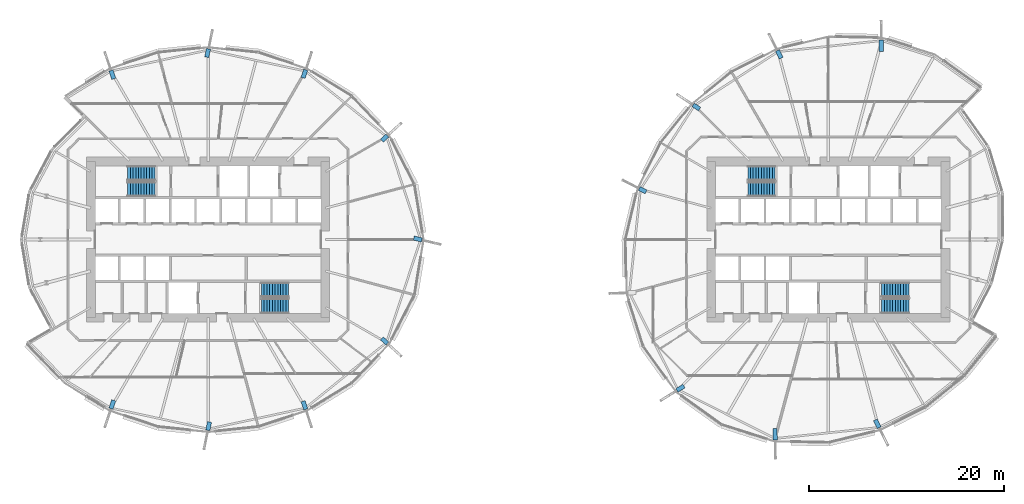
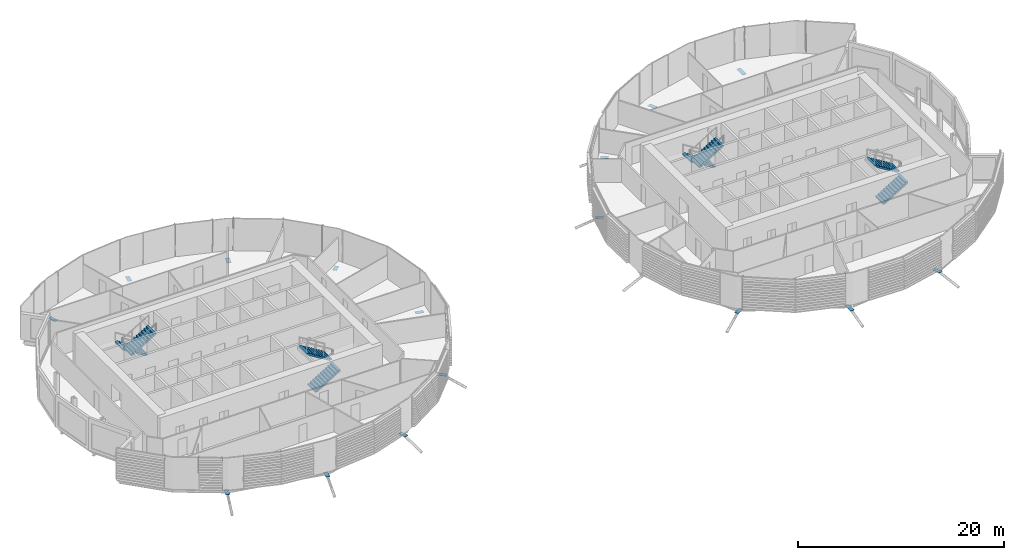
# One storey, part 25 of 36: 16 discrete accessories, 8 stair flights, 4 elements without a shape of their own.
"""IFC4 building model written with IfcOpenShell, lengths in metres."""

from ifc_helpers import new_model, si_unit, direction, frame, origin, origin_2d, place, context, subcontext, project, spatial, polyline, rectangle, outline, extrude, material, material_profile, profile_set, type_object, element, aggregate, save


model = new_model("IFC4")

# Units and contexts
model_context = context("Model", 3, precision=1e-05, world=origin(), true_north=direction((0.0, 1.0)))
body_context = subcontext(model_context, "Body", "Model", "MODEL_VIEW")
ifc_project = project(units=[si_unit("LENGTHUNIT", "METRE"), si_unit("AREAUNIT", "SQUARE_METRE"), si_unit("VOLUMEUNIT", "CUBIC_METRE"), si_unit("PLANEANGLEUNIT", "RADIAN"), si_unit("MASSUNIT", "GRAM", prefix="KILO")], contexts=[model_context])

# Site, building, storey
site_placement = place(None, origin())
site = spatial("IfcSite", under=ifc_project, at=site_placement, CompositionType="ELEMENT")
building_placement = place(site_placement, origin())
building = spatial("IfcBuilding", under=site, at=building_placement, Name="Rimbun Link Towers", CompositionType="ELEMENT")
storey_placement = place(building_placement, frame((0.0, 0.0, 33.800048828125)))
storey = spatial("IfcBuildingStorey", under=building, at=storey_placement, Name="L07", CompositionType="ELEMENT", Elevation=33.800048828125)

# Stair, stair flights
ifc_material_1 = material(Name="Concrete C40/50", Category="concrete")
stair_type = type_object("IfcStairType", Name="Exit stair 3800 rise", PredefinedType="HALF_TURN_STAIR", material=ifc_material_1)
stair_1_placement = place(storey_placement, origin())
stair_1 = element("IfcStair", 1, at=stair_1_placement, inside=storey, type_object=stair_type, Name="L07 EXIT STAIR A", PredefinedType="HALF_TURN_STAIR")
ifc_material_2 = material(Name="Concrete C40/50", Category="concrete")
stair_flight_type = type_object("IfcStairFlightType", Name="Exit stair flight 3800 rise", PredefinedType="STRAIGHT", material=ifc_material_2)
stair_flight_1_placement = place(storey_placement, frame((-37.199951171875, 6.800048828125, 0.0), z_axis=(0.0, 0.0, 1.0), x_axis=(-1.0, 0.0, 0.0)))
stair_flight_1 = element("IfcStairFlight", 2, at=stair_flight_1_placement, type_object=stair_flight_type, Name="ST1 flight 1", NumberOfRisers=11, NumberOfTreads=10, PredefinedType="STRAIGHT", RiserHeight=0.172727273, TreadLength=0.28, context=body_context, shape_type="SweptSolid", body=[
    extrude(outline(polyline([(0.0, 0.0), (0.0, 0.172607421875), (0.280029296875, 0.172607421875), (0.280029296875, 0.345458984375), (0.56005859375, 0.345458984375), (0.56005859375, 0.51806640625), (0.840087890625, 0.51806640625), (0.840087890625, 0.69091796875), (1.1201171875, 0.69091796875), (1.1201171875, 0.863525390625), (1.39990234375, 0.863525390625), (1.39990234375, 1.036376953125), (1.679931640625, 1.036376953125), (1.679931640625, 1.208984375), (1.9599609375, 1.208984375), (1.9599609375, 1.3818359375), (2.239990234375, 1.3818359375), (2.239990234375, 1.554443359375), (2.52001953125, 1.554443359375), (2.52001953125, 1.727294921875), (2.800048828125, 1.727294921875), (2.800048828125, 1.89990234375), (2.800048828125, 1.551025390625), (0.280029296875, 0.0), (0.0, 0.0)])), frame((0.0, 0.75, 0.0), z_axis=(0.0, -1.0, 0.0), x_axis=(1.0, 0.0, 0.0)), (0.0, 0.0, 1.0), 1.5),
])
stair_flight_2_placement = place(storey_placement, frame((-40.0, 5.14990234375, 1.89990234375), z_axis=(0.0, 0.0, 1.0), x_axis=(1.0, 0.0, 0.0)))
stair_flight_2 = element("IfcStairFlight", 3, at=stair_flight_2_placement, type_object=stair_flight_type, Name="ST1 flight 2", NumberOfRisers=11, NumberOfTreads=10, PredefinedType="STRAIGHT", RiserHeight=0.172727273, TreadLength=0.28, context=body_context, shape_type="SweptSolid", body=[
    extrude(outline(polyline([(0.0, 0.0), (0.0, 0.172607421875), (0.280029296875, 0.172607421875), (0.280029296875, 0.345458984375), (0.56005859375, 0.345458984375), (0.56005859375, 0.51806640625), (0.840087890625, 0.51806640625), (0.840087890625, 0.69091796875), (1.1201171875, 0.69091796875), (1.1201171875, 0.863525390625), (1.39990234375, 0.863525390625), (1.39990234375, 1.036376953125), (1.679931640625, 1.036376953125), (1.679931640625, 1.208984375), (1.9599609375, 1.208984375), (1.9599609375, 1.3818359375), (2.239990234375, 1.3818359375), (2.239990234375, 1.554443359375), (2.52001953125, 1.554443359375), (2.52001953125, 1.727294921875), (2.800048828125, 1.727294921875), (2.800048828125, 1.89990234375), (2.800048828125, 1.551025390625), (0.280029296875, 0.0), (0.0, 0.0)])), frame((0.0, 0.75, 0.0), z_axis=(0.0, -1.0, 0.0), x_axis=(1.0, 0.0, 0.0)), (0.0, 0.0, 1.0), 1.5),
])
aggregate(stair_1, [stair_flight_1, stair_flight_2])

stair_2_placement = place(storey_placement, origin())
stair_2 = element("IfcStair", 4, at=stair_2_placement, inside=storey, type_object=stair_type, Name="L07 EXIT STAIR B", PredefinedType="HALF_TURN_STAIR")
stair_flight_3_placement = place(storey_placement, frame((-26.300048828125, -6.800048828125, 0.0), z_axis=(0.0, 0.0, 1.0), x_axis=(1.0, 0.0, 0.0)))
stair_flight_3 = element("IfcStairFlight", 5, at=stair_flight_3_placement, type_object=stair_flight_type, Name="ST2 flight 1", NumberOfRisers=11, NumberOfTreads=10, PredefinedType="STRAIGHT", RiserHeight=0.172727273, TreadLength=0.28, context=body_context, shape_type="SweptSolid", body=[
    extrude(outline(polyline([(0.0, 0.0), (0.0, 0.172607421875), (0.280029296875, 0.172607421875), (0.280029296875, 0.345458984375), (0.56005859375, 0.345458984375), (0.56005859375, 0.51806640625), (0.840087890625, 0.51806640625), (0.840087890625, 0.69091796875), (1.1201171875, 0.69091796875), (1.1201171875, 0.863525390625), (1.39990234375, 0.863525390625), (1.39990234375, 1.036376953125), (1.679931640625, 1.036376953125), (1.679931640625, 1.208984375), (1.9599609375, 1.208984375), (1.9599609375, 1.3818359375), (2.239990234375, 1.3818359375), (2.239990234375, 1.554443359375), (2.52001953125, 1.554443359375), (2.52001953125, 1.727294921875), (2.800048828125, 1.727294921875), (2.800048828125, 1.89990234375), (2.800048828125, 1.551025390625), (0.280029296875, 0.0), (0.0, 0.0)])), frame((0.0, 0.75, 0.0), z_axis=(0.0, -1.0, 0.0), x_axis=(1.0, 0.0, 0.0)), (0.0, 0.0, 1.0), 1.5),
])
stair_flight_4_placement = place(storey_placement, frame((-23.5, -5.14990234375, 1.89990234375), z_axis=(0.0, 0.0, 1.0), x_axis=(-1.0, 0.0, 0.0)))
stair_flight_4 = element("IfcStairFlight", 6, at=stair_flight_4_placement, type_object=stair_flight_type, Name="ST2 flight 2", NumberOfRisers=11, NumberOfTreads=10, PredefinedType="STRAIGHT", RiserHeight=0.172727273, TreadLength=0.28, context=body_context, shape_type="SweptSolid", body=[
    extrude(outline(polyline([(0.0, 0.0), (0.0, 0.172607421875), (0.280029296875, 0.172607421875), (0.280029296875, 0.345458984375), (0.56005859375, 0.345458984375), (0.56005859375, 0.51806640625), (0.840087890625, 0.51806640625), (0.840087890625, 0.69091796875), (1.1201171875, 0.69091796875), (1.1201171875, 0.863525390625), (1.39990234375, 0.863525390625), (1.39990234375, 1.036376953125), (1.679931640625, 1.036376953125), (1.679931640625, 1.208984375), (1.9599609375, 1.208984375), (1.9599609375, 1.3818359375), (2.239990234375, 1.3818359375), (2.239990234375, 1.554443359375), (2.52001953125, 1.554443359375), (2.52001953125, 1.727294921875), (2.800048828125, 1.727294921875), (2.800048828125, 1.89990234375), (2.800048828125, 1.551025390625), (0.280029296875, 0.0), (0.0, 0.0)])), frame((0.0, 0.75, 0.0), z_axis=(0.0, -1.0, 0.0), x_axis=(1.0, 0.0, 0.0)), (0.0, 0.0, 1.0), 1.5),
])
aggregate(stair_2, [stair_flight_3, stair_flight_4])

stair_3_placement = place(storey_placement, origin())
stair_3 = element("IfcStair", 7, at=stair_3_placement, inside=storey, type_object=stair_type, Name="L07 EXIT STAIR A", PredefinedType="HALF_TURN_STAIR")
stair_flight_5_placement = place(storey_placement, frame((26.300048828125, 6.800048828125, 0.0), z_axis=(0.0, 0.0, 1.0), x_axis=(-1.0, 0.0, 0.0)))
stair_flight_5 = element("IfcStairFlight", 8, at=stair_flight_5_placement, type_object=stair_flight_type, Name="ST3 flight 1", NumberOfRisers=11, NumberOfTreads=10, PredefinedType="STRAIGHT", RiserHeight=0.172727273, TreadLength=0.28, context=body_context, shape_type="SweptSolid", body=[
    extrude(outline(polyline([(0.0, 0.0), (0.0, 0.172607421875), (0.280029296875, 0.172607421875), (0.280029296875, 0.345458984375), (0.56005859375, 0.345458984375), (0.56005859375, 0.51806640625), (0.840087890625, 0.51806640625), (0.840087890625, 0.69091796875), (1.1201171875, 0.69091796875), (1.1201171875, 0.863525390625), (1.39990234375, 0.863525390625), (1.39990234375, 1.036376953125), (1.679931640625, 1.036376953125), (1.679931640625, 1.208984375), (1.9599609375, 1.208984375), (1.9599609375, 1.3818359375), (2.239990234375, 1.3818359375), (2.239990234375, 1.554443359375), (2.52001953125, 1.554443359375), (2.52001953125, 1.727294921875), (2.800048828125, 1.727294921875), (2.800048828125, 1.89990234375), (2.800048828125, 1.551025390625), (0.280029296875, 0.0), (0.0, 0.0)])), frame((0.0, 0.75, 0.0), z_axis=(0.0, -1.0, 0.0), x_axis=(1.0, 0.0, 0.0)), (0.0, 0.0, 1.0), 1.5),
])
stair_flight_6_placement = place(storey_placement, frame((23.5, 5.14990234375, 1.89990234375), z_axis=(0.0, 0.0, 1.0), x_axis=(1.0, 0.0, 0.0)))
stair_flight_6 = element("IfcStairFlight", 9, at=stair_flight_6_placement, type_object=stair_flight_type, Name="ST3 flight 2", NumberOfRisers=11, NumberOfTreads=10, PredefinedType="STRAIGHT", RiserHeight=0.172727273, TreadLength=0.28, context=body_context, shape_type="SweptSolid", body=[
    extrude(outline(polyline([(0.0, 0.0), (0.0, 0.172607421875), (0.280029296875, 0.172607421875), (0.280029296875, 0.345458984375), (0.56005859375, 0.345458984375), (0.56005859375, 0.51806640625), (0.840087890625, 0.51806640625), (0.840087890625, 0.69091796875), (1.1201171875, 0.69091796875), (1.1201171875, 0.863525390625), (1.39990234375, 0.863525390625), (1.39990234375, 1.036376953125), (1.679931640625, 1.036376953125), (1.679931640625, 1.208984375), (1.9599609375, 1.208984375), (1.9599609375, 1.3818359375), (2.239990234375, 1.3818359375), (2.239990234375, 1.554443359375), (2.52001953125, 1.554443359375), (2.52001953125, 1.727294921875), (2.800048828125, 1.727294921875), (2.800048828125, 1.89990234375), (2.800048828125, 1.551025390625), (0.280029296875, 0.0), (0.0, 0.0)])), frame((0.0, 0.75, 0.0), z_axis=(0.0, -1.0, 0.0), x_axis=(1.0, 0.0, 0.0)), (0.0, 0.0, 1.0), 1.5),
])
aggregate(stair_3, [stair_flight_5, stair_flight_6])

stair_4_placement = place(storey_placement, origin())
stair_4 = element("IfcStair", 10, at=stair_4_placement, inside=storey, type_object=stair_type, Name="L07 EXIT STAIR B", PredefinedType="HALF_TURN_STAIR")
stair_flight_7_placement = place(storey_placement, frame((37.199951171875, -6.800048828125, 0.0), z_axis=(0.0, 0.0, 1.0), x_axis=(1.0, 0.0, 0.0)))
stair_flight_7 = element("IfcStairFlight", 11, at=stair_flight_7_placement, type_object=stair_flight_type, Name="ST4 flight 1", NumberOfRisers=11, NumberOfTreads=10, PredefinedType="STRAIGHT", RiserHeight=0.172727273, TreadLength=0.28, context=body_context, shape_type="SweptSolid", body=[
    extrude(outline(polyline([(0.0, 0.0), (0.0, 0.172607421875), (0.280029296875, 0.172607421875), (0.280029296875, 0.345458984375), (0.56005859375, 0.345458984375), (0.56005859375, 0.51806640625), (0.840087890625, 0.51806640625), (0.840087890625, 0.69091796875), (1.1201171875, 0.69091796875), (1.1201171875, 0.863525390625), (1.39990234375, 0.863525390625), (1.39990234375, 1.036376953125), (1.679931640625, 1.036376953125), (1.679931640625, 1.208984375), (1.9599609375, 1.208984375), (1.9599609375, 1.3818359375), (2.239990234375, 1.3818359375), (2.239990234375, 1.554443359375), (2.52001953125, 1.554443359375), (2.52001953125, 1.727294921875), (2.800048828125, 1.727294921875), (2.800048828125, 1.89990234375), (2.800048828125, 1.551025390625), (0.280029296875, 0.0), (0.0, 0.0)])), frame((0.0, 0.75, 0.0), z_axis=(0.0, -1.0, 0.0), x_axis=(1.0, 0.0, 0.0)), (0.0, 0.0, 1.0), 1.5),
])
stair_flight_8_placement = place(storey_placement, frame((40.0, -5.14990234375, 1.89990234375), z_axis=(0.0, 0.0, 1.0), x_axis=(-1.0, 0.0, 0.0)))
stair_flight_8 = element("IfcStairFlight", 12, at=stair_flight_8_placement, type_object=stair_flight_type, Name="ST4 flight 2", NumberOfRisers=11, NumberOfTreads=10, PredefinedType="STRAIGHT", RiserHeight=0.172727273, TreadLength=0.28, context=body_context, shape_type="SweptSolid", body=[
    extrude(outline(polyline([(0.0, 0.0), (0.0, 0.172607421875), (0.280029296875, 0.172607421875), (0.280029296875, 0.345458984375), (0.56005859375, 0.345458984375), (0.56005859375, 0.51806640625), (0.840087890625, 0.51806640625), (0.840087890625, 0.69091796875), (1.1201171875, 0.69091796875), (1.1201171875, 0.863525390625), (1.39990234375, 0.863525390625), (1.39990234375, 1.036376953125), (1.679931640625, 1.036376953125), (1.679931640625, 1.208984375), (1.9599609375, 1.208984375), (1.9599609375, 1.3818359375), (2.239990234375, 1.3818359375), (2.239990234375, 1.554443359375), (2.52001953125, 1.554443359375), (2.52001953125, 1.727294921875), (2.800048828125, 1.727294921875), (2.800048828125, 1.89990234375), (2.800048828125, 1.551025390625), (0.280029296875, 0.0), (0.0, 0.0)])), frame((0.0, 0.75, 0.0), z_axis=(0.0, -1.0, 0.0), x_axis=(1.0, 0.0, 0.0)), (0.0, 0.0, 1.0), 1.5),
])
aggregate(stair_4, [stair_flight_7, stair_flight_8])

# Discrete accessories
ifc_material_3 = material(Name="Steel S355J2H", Category="steel")
ifc_material_profile = material_profile(ifc_material_3, rectangle(XDim=0.43310546875, YDim=0.43310546875, at=origin_2d()), Name="PL 433x433")
ifc_profile_set = profile_set([ifc_material_profile], Name="Steel S355J2H")
discrete_accessory_type = type_object("IfcDiscreteAccessoryType", Name="Link head end plate 433X20", PredefinedType="BRACKET", material=ifc_profile_set)
discrete_accessory_1_placement = place(storey_placement, frame((0.0, 0.0, -0.713134765625)))
element("IfcDiscreteAccessory", 13, at=discrete_accessory_1_placement, inside=storey, type_object=discrete_accessory_type, Name="Link head end plate T1 L07 00", PredefinedType="BRACKET", context=body_context, shape_type="SweptSolid", body=[
    extrude(outline(polyline([(-10.7421875, -0.057373046875), (-9.9140625, -0.252197265625), (-9.814697265625, 0.169189453125), (-10.642822265625, 0.3642578125), (-10.7421875, -0.057373046875)])), origin(), (0.0, 0.0, 1.0), 0.02001953125),
])
discrete_accessory_2_placement = place(storey_placement, frame((0.0, 0.0, -0.58642578125)))
element("IfcDiscreteAccessory", 14, at=discrete_accessory_2_placement, inside=storey, type_object=discrete_accessory_type, Name="Link head end plate T1 L07 02", PredefinedType="BRACKET", context=body_context, shape_type="SweptSolid", body=[
    extrude(outline(polyline([(-13.818359375, 9.964111328125), (-13.251220703125, 10.48095703125), (-13.54296875, 10.801025390625), (-14.110107421875, 10.283935546875), (-13.818359375, 9.964111328125)])), origin(), (0.0, 0.0, 1.0), 0.02001953125),
])
discrete_accessory_3_placement = place(storey_placement, frame((0.0, 0.0, -0.78271484375)))
element("IfcDiscreteAccessory", 15, at=discrete_accessory_3_placement, inside=storey, type_object=discrete_accessory_type, Name="Link head end plate T1 L07 04", PredefinedType="BRACKET", context=body_context, shape_type="SweptSolid", body=[
    extrude(outline(polyline([(-21.82421875, 16.489501953125), (-21.55419921875, 17.309814453125), (-21.965576171875, 17.44482421875), (-22.2353515625, 16.624755859375), (-21.82421875, 16.489501953125)])), origin(), (0.0, 0.0, 1.0), 0.02001953125),
])
discrete_accessory_4_placement = place(storey_placement, frame((0.0, 0.0, -0.78271484375)))
element("IfcDiscreteAccessory", 16, at=discrete_accessory_4_placement, inside=storey, type_object=discrete_accessory_type, Name="Link head end plate T1 L07 06", PredefinedType="BRACKET", context=body_context, shape_type="SweptSolid", body=[
    extrude(outline(polyline([(-31.67724609375, 18.631103515625), (-31.50146484375, 19.48681640625), (-31.92578125, 19.57373046875), (-32.101318359375, 18.718017578125), (-31.67724609375, 18.631103515625)])), origin(), (0.0, 0.0, 1.0), 0.02001953125),
])
discrete_accessory_5_placement = place(storey_placement, frame((0.0, 0.0, -0.78271484375)))
element("IfcDiscreteAccessory", 17, at=discrete_accessory_5_placement, inside=storey, type_object=discrete_accessory_type, Name="Link head end plate T1 L07 08", PredefinedType="BRACKET", context=body_context, shape_type="SweptSolid", body=[
    extrude(outline(polyline([(-41.208740234375, 16.529541015625), (-41.490966796875, 17.367919921875), (-41.9013671875, 17.229736328125), (-41.619140625, 16.391357421875), (-41.208740234375, 16.529541015625)])), origin(), (0.0, 0.0, 1.0), 0.02001953125),
])
discrete_accessory_6_placement = place(storey_placement, frame((0.0, 0.0, -0.78271484375)))
element("IfcDiscreteAccessory", 18, at=discrete_accessory_6_placement, inside=storey, type_object=discrete_accessory_type, Name="Link head end plate T1 L07 16", PredefinedType="BRACKET", context=body_context, shape_type="SweptSolid", body=[
    extrude(outline(polyline([(-41.619140625, -16.391357421875), (-41.9013671875, -17.229736328125), (-41.490966796875, -17.367919921875), (-41.208740234375, -16.529541015625), (-41.619140625, -16.391357421875)])), origin(), (0.0, 0.0, 1.0), 0.02001953125),
])
discrete_accessory_7_placement = place(storey_placement, frame((0.0, 0.0, -0.78271484375)))
element("IfcDiscreteAccessory", 19, at=discrete_accessory_7_placement, inside=storey, type_object=discrete_accessory_type, Name="Link head end plate T1 L07 18", PredefinedType="BRACKET", context=body_context, shape_type="SweptSolid", body=[
    extrude(outline(polyline([(-31.82275390625, -18.631103515625), (-31.99853515625, -19.48681640625), (-31.57421875, -19.57373046875), (-31.398681640625, -18.718017578125), (-31.82275390625, -18.631103515625)])), origin(), (0.0, 0.0, 1.0), 0.02001953125),
])
discrete_accessory_8_placement = place(storey_placement, frame((0.0, 0.0, -0.78271484375)))
element("IfcDiscreteAccessory", 20, at=discrete_accessory_8_placement, inside=storey, type_object=discrete_accessory_type, Name="Link head end plate T1 L07 20", PredefinedType="BRACKET", context=body_context, shape_type="SweptSolid", body=[
    extrude(outline(polyline([(-22.2353515625, -16.624755859375), (-21.965576171875, -17.44482421875), (-21.55419921875, -17.309814453125), (-21.82421875, -16.489501953125), (-22.2353515625, -16.624755859375)])), origin(), (0.0, 0.0, 1.0), 0.02001953125),
])
discrete_accessory_9_placement = place(storey_placement, frame((0.0, 0.0, -0.58642578125)))
element("IfcDiscreteAccessory", 21, at=discrete_accessory_9_placement, inside=storey, type_object=discrete_accessory_type, Name="Link head end plate T1 L07 22", PredefinedType="BRACKET", context=body_context, shape_type="SweptSolid", body=[
    extrude(outline(polyline([(-14.110107421875, -10.283935546875), (-13.54296875, -10.801025390625), (-13.251220703125, -10.48095703125), (-13.818359375, -9.964111328125), (-14.110107421875, -10.283935546875)])), origin(), (0.0, 0.0, 1.0), 0.02001953125),
])
discrete_accessory_10_placement = place(storey_placement, frame((0.0, 0.0, -0.863525390625)))
element("IfcDiscreteAccessory", 22, at=discrete_accessory_10_placement, inside=storey, type_object=discrete_accessory_type, Name="Link head end plate T2 L07 02", PredefinedType="BRACKET", context=body_context, shape_type="SweptSolid", body=[
    extrude(outline(polyline([(37.392333984375, 19.234619140625), (37.38720703125, 20.42236328125), (36.9541015625, 20.42041015625), (36.95947265625, 19.23291015625), (37.392333984375, 19.234619140625)])), origin(), (0.0, 0.0, 1.0), 0.02001953125),
])
discrete_accessory_11_placement = place(storey_placement, frame((0.0, 0.0, -0.78271484375)))
element("IfcDiscreteAccessory", 23, at=discrete_accessory_11_placement, inside=storey, type_object=discrete_accessory_type, Name="Link head end plate T2 L07 04", PredefinedType="BRACKET", context=body_context, shape_type="SweptSolid", body=[
    extrude(outline(polyline([(27.10888671875, 18.678466796875), (26.7197265625, 19.44921875), (26.333251953125, 19.25390625), (26.722412109375, 18.483154296875), (27.10888671875, 18.678466796875)])), origin(), (0.0, 0.0, 1.0), 0.02001953125),
])
discrete_accessory_12_placement = place(storey_placement, frame((0.0, 0.0, -0.58642578125)))
element("IfcDiscreteAccessory", 24, at=discrete_accessory_12_placement, inside=storey, type_object=discrete_accessory_type, Name="Link head end plate T2 L07 06", PredefinedType="BRACKET", context=body_context, shape_type="SweptSolid", body=[
    extrude(outline(polyline([(18.682861328125, 13.53662109375), (18.033203125, 13.965087890625), (17.794677734375, 13.603759765625), (18.4443359375, 13.175048828125), (18.682861328125, 13.53662109375)])), origin(), (0.0, 0.0, 1.0), 0.02001953125),
])
discrete_accessory_13_placement = place(storey_placement, frame((0.0, 0.0, -0.58642578125)))
element("IfcDiscreteAccessory", 25, at=discrete_accessory_13_placement, inside=storey, type_object=discrete_accessory_type, Name="Link head end plate T2 L07 08", PredefinedType="BRACKET", context=body_context, shape_type="SweptSolid", body=[
    extrude(outline(polyline([(13.182861328125, 5.0703125), (12.495361328125, 5.4169921875), (12.30029296875, 5.030517578125), (12.98779296875, 4.68359375), (13.182861328125, 5.0703125)])), origin(), (0.0, 0.0, 1.0), 0.02001953125),
])
discrete_accessory_14_placement = place(storey_placement, frame((0.0, 0.0, -0.713134765625)))
element("IfcDiscreteAccessory", 26, at=discrete_accessory_14_placement, inside=storey, type_object=discrete_accessory_type, Name="Link head end plate T2 L07 12", PredefinedType="BRACKET", context=body_context, shape_type="SweptSolid", body=[
    extrude(outline(polyline([(16.854736328125, -14.814208984375), (16.13134765625, -15.261962890625), (16.359130859375, -15.630126953125), (17.08251953125, -15.1826171875), (16.854736328125, -14.814208984375)])), origin(), (0.0, 0.0, 1.0), 0.02001953125),
])
discrete_accessory_15_placement = place(storey_placement, frame((0.0, 0.0, -0.863525390625)))
element("IfcDiscreteAccessory", 27, at=discrete_accessory_15_placement, inside=storey, type_object=discrete_accessory_type, Name="Link head end plate T2 L07 14", PredefinedType="BRACKET", context=body_context, shape_type="SweptSolid", body=[
    extrude(outline(polyline([(26.075439453125, -19.354736328125), (26.09130859375, -20.51025390625), (26.5244140625, -20.50439453125), (26.50830078125, -19.348876953125), (26.075439453125, -19.354736328125)])), origin(), (0.0, 0.0, 1.0), 0.02001953125),
])
discrete_accessory_16_placement = place(storey_placement, frame((0.0, 0.0, -0.78271484375)))
element("IfcDiscreteAccessory", 28, at=discrete_accessory_16_placement, inside=storey, type_object=discrete_accessory_type, Name="Link head end plate T2 L07 16", PredefinedType="BRACKET", context=body_context, shape_type="SweptSolid", body=[
    extrude(outline(polyline([(36.361328125, -18.566650390625), (36.754638671875, -19.359619140625), (37.142578125, -19.167236328125), (36.749267578125, -18.374267578125), (36.361328125, -18.566650390625)])), origin(), (0.0, 0.0, 1.0), 0.02001953125),
])

save(model, "model.ifc")
